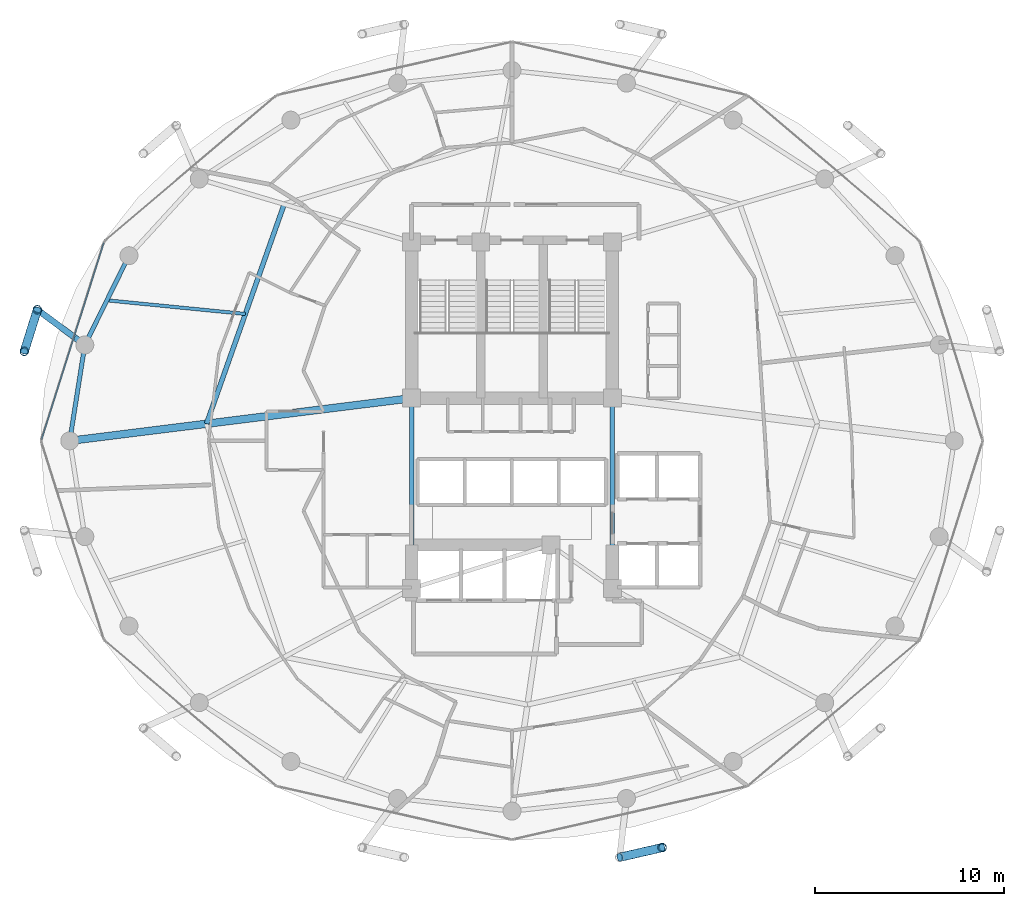
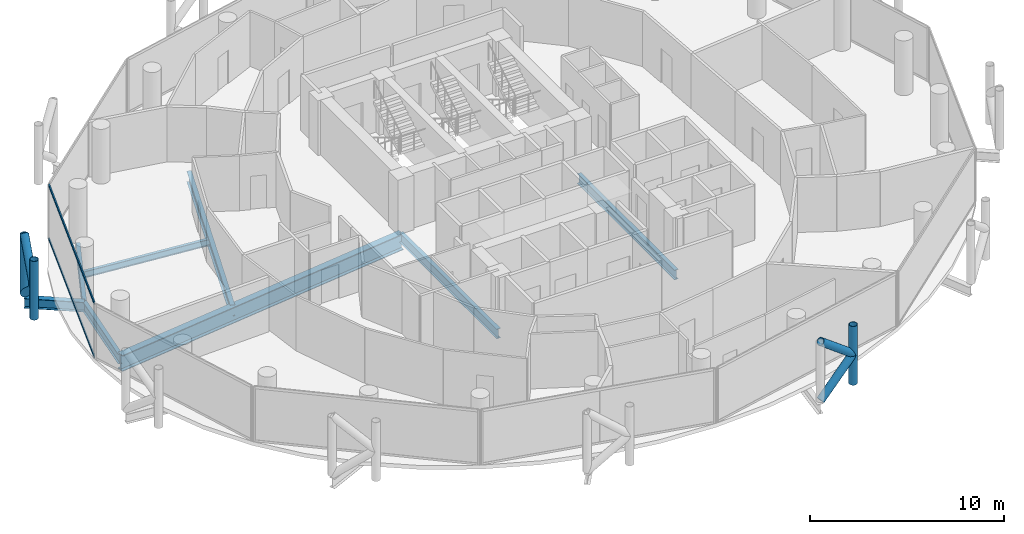
# One storey, part 7 of 26: 9 members, 8 beams, 1 element without a shape of its own.
"""IFC4 building model written with IfcOpenShell, lengths in metres."""

from ifc_helpers import new_model, si_unit, direction, frame, origin, origin_2d, place, context, subcontext, project, spatial, hollow_rectangle, hollow_circle, i_section, extrude, material, layer, layer_set, material_profile, profile_set, type_object, element, aggregate, save


model = new_model("IFC4")

# Units and contexts
model_context = context("Model", 3, precision=1e-05, world=origin(), true_north=direction((0.0, 1.0)))
body_context = subcontext(model_context, "Body", "Model", "MODEL_VIEW")
ifc_project = project(units=[si_unit("LENGTHUNIT", "METRE"), si_unit("AREAUNIT", "SQUARE_METRE"), si_unit("VOLUMEUNIT", "CUBIC_METRE"), si_unit("PLANEANGLEUNIT", "RADIAN"), si_unit("MASSUNIT", "GRAM", prefix="KILO")], contexts=[model_context])

# Site, building, storey
site_placement = place(None, origin())
site = spatial("IfcSite", under=ifc_project, at=site_placement, CompositionType="ELEMENT")
building_placement = place(site_placement, origin())
building = spatial("IfcBuilding", under=site, at=building_placement, Name="Nuhasar Tower", CompositionType="ELEMENT")
storey_placement = place(building_placement, frame((0.0, 0.0, 129.35009765625)))
storey = spatial("IfcBuildingStorey", under=building, at=storey_placement, Name="L30", CompositionType="ELEMENT", Elevation=129.35009765625)

# Beams
ifc_material_1 = material(Name="Steel S355", Category="steel")
ifc_material_profile_1 = material_profile(ifc_material_1, i_section(OverallWidth=0.25390625, OverallDepth=0.68408203125, WebThickness=0.012451171875, FlangeThickness=0.018798828125, at=origin_2d()), Name="W27X94")
ifc_profile_set_1 = profile_set([ifc_material_profile_1], Name="Steel S355")
beam_type_1 = type_object("IfcBeamType", Name="BM-INRING-W27X94", PredefinedType="BEAM", material=ifc_profile_set_1)
beam_1_placement = place(storey_placement, frame((26.972900390625, 39.2939453125, -0.592041015625), z_axis=(-0.333599821096, -0.942714781556, 0.0), x_axis=(0.942714781556, -0.333599821096, 0.0)))
element("IfcBeam", 1, at=beam_1_placement, inside=storey, type_object=beam_type_1, Name="L30 Inner Header Beam 07", PredefinedType="BEAM", context=body_context, shape_type="SweptSolid", body=[
    extrude(i_section(OverallWidth=0.25390625, OverallDepth=0.68408203125, WebThickness=0.012451171875, FlangeThickness=0.018798828125, at=origin_2d()), origin(), (0.0, 0.0, 1.0), 12.298583984375),
])
ifc_material_profile_2 = material_profile(ifc_material_1, i_section(OverallWidth=0.177978515625, OverallDepth=0.406005859375, WebThickness=0.0078125, FlangeThickness=0.0126953125, at=origin_2d()), Name="W16X40")
ifc_profile_set_2 = profile_set([ifc_material_profile_2], Name="Steel S355")
beam_type_2 = type_object("IfcBeamType", Name="BM-JST-W16X40", PredefinedType="JOIST", material=ifc_profile_set_2)
beam_2_placement = place(storey_placement, frame((24.922119140625, 33.4970703125, -0.453125), z_axis=(-0.995171845755, 0.098147834497, 0.0), x_axis=(-0.098147834497, -0.995171845755, 0.0)))
element("IfcBeam", 2, at=beam_2_placement, inside=storey, type_object=beam_type_2, Name="L30 Secondary Floor Joist 07", PredefinedType="JOIST", context=body_context, shape_type="SweptSolid", body=[
    extrude(i_section(OverallWidth=0.177978515625, OverallDepth=0.406005859375, WebThickness=0.0078125, FlangeThickness=0.0126953125, at=origin_2d()), origin(), (0.0, 0.0, 1.0), 7.345458984375),
])
ifc_material_profile_3 = material_profile(ifc_material_1, i_section(OverallWidth=0.22900390625, OverallDepth=0.612060546875, WebThickness=0.011962890625, FlangeThickness=0.01953125, at=origin_2d()), Name="W24X84")
ifc_profile_set_3 = profile_set([ifc_material_profile_3], Name="Steel S355")
beam_type_3 = type_object("IfcBeamType", Name="BM-RAD-W24X84", PredefinedType="BEAM", material=ifc_profile_set_3)
for number, where, z_axis, x_axis, name in (
    (3, (44.300048828125, 19.0, -0.55615234375), (0.0, 1.0, 0.0), (-1.0, 0.0, 0.0), "L30 Core Ring Girder 3"),
    (4, (33.699951171875, 29.050048828125, -0.55615234375), (0.0, -1.0, 0.0), (1.0, 0.0, 0.0), "L30 Core Ring Girder 8"),
):
    element("IfcBeam", number, at=place(storey_placement, frame(where, z_axis=z_axis, x_axis=x_axis)), inside=storey, type_object=beam_type_3, Name=name, PredefinedType="BEAM", context=body_context, shape_type="SweptSolid", body=[
        extrude(i_section(OverallWidth=0.22900390625, OverallDepth=0.612060546875, WebThickness=0.011962890625, FlangeThickness=0.01953125, at=origin_2d()), origin(), (0.0, 0.0, 1.0), 10.050048828125),
    ])
ifc_material_profile_4 = material_profile(ifc_material_1, i_section(OverallWidth=0.22998046875, OverallDepth=0.616943359375, WebThickness=0.01318359375, FlangeThickness=0.022216796875, at=origin_2d()), Name="W24X94")
ifc_profile_set_4 = profile_set([ifc_material_profile_4], Name="Steel S355")
beam_type_4 = type_object("IfcBeamType", Name="BM-RING-W24X94", PredefinedType="SPANDREL", material=ifc_profile_set_4)
beam_3_placement = place(storey_placement, frame((18.778076171875, 36.574951171875, -0.55908203125), z_axis=(-0.443347771709, -0.896349682501, 0.0), x_axis=(0.896349682501, -0.443347771709, 0.0)))
element("IfcBeam", 5, at=beam_3_placement, inside=storey, type_object=beam_type_4, Name="L30 Perimeter Ring Spandrel 11", PredefinedType="SPANDREL", context=body_context, shape_type="SweptSolid", body=[
    extrude(i_section(OverallWidth=0.22998046875, OverallDepth=0.616943359375, WebThickness=0.01318359375, FlangeThickness=0.022216796875, at=origin_2d()), origin(), (0.0, 0.0, 1.0), 5.260009765625),
])
beam_4_placement = place(storey_placement, frame((16.446044921875, 31.860107421875, -0.55908203125), z_axis=(-0.155426543608, -0.987847452566, 0.0), x_axis=(0.987847452566, -0.155426543608, 0.0)))
element("IfcBeam", 6, at=beam_4_placement, inside=storey, type_object=beam_type_4, Name="L30 Perimeter Ring Spandrel 12", PredefinedType="SPANDREL", context=body_context, shape_type="SweptSolid", body=[
    extrude(i_section(OverallWidth=0.22998046875, OverallDepth=0.616943359375, WebThickness=0.01318359375, FlangeThickness=0.022216796875, at=origin_2d()), origin(), (0.0, 0.0, 1.0), 5.122314453125),
])
ifc_material_profile_5 = material_profile(ifc_material_1, i_section(OverallWidth=0.323974609375, OverallDepth=0.611083984375, WebThickness=0.0126953125, FlangeThickness=0.01904296875, at=origin_2d()), Name="W24X104")
ifc_profile_set_5 = profile_set([ifc_material_profile_5], Name="Steel S355")
beam_type_5 = type_object("IfcBeamType", Name="BM-TIE-W24X104", PredefinedType="BEAM", material=ifc_profile_set_5)
beam_5_placement = place(storey_placement, frame((16.446044921875, 31.860107421875, -0.55615234375), z_axis=(-0.802872198291, 0.596151183183, 0.0), x_axis=(-0.596151183183, -0.802872198291, 0.0)))
element("IfcBeam", 7, at=beam_5_placement, inside=storey, type_object=beam_type_5, Name="L30 Exoskeleton Node Tie Beam 06", PredefinedType="BEAM", context=body_context, shape_type="SweptSolid", body=[
    extrude(i_section(OverallWidth=0.323974609375, OverallDepth=0.611083984375, WebThickness=0.0126953125, FlangeThickness=0.01904296875, at=origin_2d()), origin(), (0.0, 0.0, 1.0), 3.121337890625),
])
ifc_material_2 = material(Name="Steel S460", Category="steel")
ifc_material_profile_6 = material_profile(ifc_material_2, i_section(OverallWidth=0.40087890625, OverallDepth=1.010009765625, WebThickness=0.023681640625, FlangeThickness=0.0419921875, at=origin_2d()), Name="W40X297")
ifc_profile_set_6 = profile_set([ifc_material_profile_6], Name="Steel S460")
beam_type_6 = type_object("IfcBeamType", Name="BM-XFER-W40X297", PredefinedType="USERDEFINED", material=ifc_profile_set_6)
beam_6_placement = place(storey_placement, frame((33.699951171875, 29.050048828125, -0.755126953125), z_axis=(-0.992320149485, -0.123696082908, 0.0), x_axis=(0.123696082908, -0.992320149485, 0.0)))
element("IfcBeam", 8, at=beam_6_placement, inside=storey, type_object=beam_type_6, Name="L30 Radial Floor Girder 08", ObjectType="GIRDER", PredefinedType="USERDEFINED", context=body_context, shape_type="SweptSolid", body=[
    extrude(i_section(OverallWidth=0.40087890625, OverallDepth=1.010009765625, WebThickness=0.023681640625, FlangeThickness=0.0419921875, at=origin_2d()), origin(), (0.0, 0.0, 1.0), 18.189697265625),
])

# Curtain wall, members
ifc_material_3 = material(Name="Aluminium 6063-T6", Category="aluminium")
ifc_layer = layer(ifc_material_3, 0.199951171875)
ifc_layer_set = layer_set([ifc_layer], Name="Aluminium 6063-T6")
curtain_wall_type = type_object("IfcCurtainWallType", Name="CW-Z2-HTL", PredefinedType="NOTDEFINED", material=ifc_layer_set)
curtain_wall_placement = place(storey_placement, origin())
curtain_wall = element("IfcCurtainWall", 9, at=curtain_wall_placement, inside=storey, type_object=curtain_wall_type, Name="L30 Unitised Curtain Wall 06", PredefinedType="NOTDEFINED")
ifc_material_profile_7 = material_profile(ifc_material_3, hollow_rectangle(XDim=0.070068359375, YDim=0.159912109375, WallThickness=0.00439453125, at=origin_2d()), Name="CWT-3")
ifc_profile_set_7 = profile_set([ifc_material_profile_7], Name="Aluminium 6063-T6")
member_type_1 = type_object("IfcMemberType", Name="CW-TRN-S3", PredefinedType="USERDEFINED", material=ifc_profile_set_7)
member_1_placement = place(storey_placement, frame((17.449951171875, 37.26318359375, 0.034912109375), z_axis=(-0.301608163352, -0.953431967053, 0.0), x_axis=(0.953431967053, -0.301608163352, 0.0)))
member_1 = element("IfcMember", 10, at=member_1_placement, type_object=member_type_1, Name="CW-Z2 transom 1.1", ObjectType="TRANSOM", PredefinedType="USERDEFINED", context=body_context, shape_type="SweptSolid", body=[
    extrude(hollow_rectangle(XDim=0.070068359375, YDim=0.159912109375, WallThickness=0.00439453125, at=origin_2d()), origin(), (0.0, 0.0, 1.0), 10.904296875),
])
member_2_placement = place(storey_placement, frame((17.449951171875, 37.26318359375, 3.414794921875), z_axis=(-0.301608163352, -0.953431967053, 0.0), x_axis=(0.953431967053, -0.301608163352, 0.0)))
member_2 = element("IfcMember", 11, at=member_2_placement, type_object=member_type_1, Name="CW-Z2 transom 1.2", ObjectType="TRANSOM", PredefinedType="USERDEFINED", context=body_context, shape_type="SweptSolid", body=[
    extrude(hollow_rectangle(XDim=0.070068359375, YDim=0.159912109375, WallThickness=0.00439453125, at=origin_2d()), origin(), (0.0, 0.0, 1.0), 10.904296875),
])
aggregate(curtain_wall, [member_1, member_2])

# Members
ifc_material_profile_8 = material_profile(ifc_material_2, hollow_circle(Radius=0.228515625, WallThickness=0.022216796875, at=origin_2d()), Name="HSS457X22.2")
ifc_profile_set_8 = profile_set([ifc_material_profile_8], Name="Steel S460")
member_type_2 = type_object("IfcMemberType", Name="EXO-BRONZE-457", PredefinedType="BRACE", material=ifc_profile_set_8)
for number, where, z_axis, x_axis, name in (
    (12, (13.93994140625, 33.720947265625, 0.0), (0.0, 0.0, 1.0), (1.0, 0.0, 0.0), "L30 Exoskeleton Chord Column EC-06A"),
    (13, (13.251953125, 31.52587890625, 0.0), (0.0, 0.0, 1.0), (1.0, 0.0, 0.0), "L30 Exoskeleton Chord Column EC-06B"),
    (14, (46.927978515625, 5.323974609375, 0.0), (0.0, 0.0, 1.0), (1.0, 0.0, 0.0), "L30 Exoskeleton Chord Column EC-10B"),
):
    element("IfcMember", number, at=place(storey_placement, frame(where, z_axis=z_axis, x_axis=x_axis)), inside=storey, type_object=member_type_2, Name=name, PredefinedType="BRACE", context=body_context, shape_type="SweptSolid", body=[
        extrude(hollow_circle(Radius=0.228515625, WallThickness=0.022216796875, at=origin_2d()), origin(), (0.0, 0.0, 1.0), 3.699951171875),
    ])
member_3_placement = place(storey_placement, frame((13.93994140625, 33.720947265625, 0.0), z_axis=(-0.233067628236, -0.74361641074, 0.626669062861), x_axis=(0.954228474306, -0.29907861646, 0.0)))
element("IfcMember", 15, at=member_3_placement, inside=storey, type_object=member_type_2, Name="L30 Bronze Diagrid Brace W1-06", PredefinedType="BRACE", context=body_context, shape_type="SweptSolid", body=[
    extrude(hollow_circle(Radius=0.228515625, WallThickness=0.022216796875, at=origin_2d()), origin(), (0.0, 0.0, 1.0), 2.951904296875),
])
member_4_placement = place(storey_placement, frame((13.251953125, 31.52587890625, 1.849853515625), z_axis=(0.233055548538, 0.743577869731, 0.626719285599), x_axis=(-0.954228474306, 0.29907861646, 0.0)))
element("IfcMember", 16, at=member_4_placement, inside=storey, type_object=member_type_2, Name="L30 Bronze Diagrid Brace W2-06", PredefinedType="BRACE", context=body_context, shape_type="SweptSolid", body=[
    extrude(hollow_circle(Radius=0.228515625, WallThickness=0.022216796875, at=origin_2d()), origin(), (0.0, 0.0, 1.0), 2.9521484375),
])
member_5_placement = place(storey_placement, frame((44.68603515625, 4.81005859375, 0.0), z_axis=(0.759549860492, 0.174110035537, 0.626713415327), x_axis=(-0.223432882746, 0.974719316987, 0.0)))
element("IfcMember", 17, at=member_5_placement, inside=storey, type_object=member_type_2, Name="L30 Bronze Diagrid Brace W1-10", PredefinedType="BRACE", context=body_context, shape_type="SweptSolid", body=[
    extrude(hollow_circle(Radius=0.228515625, WallThickness=0.022216796875, at=origin_2d()), origin(), (0.0, 0.0, 1.0), 2.95166015625),
])
member_6_placement = place(storey_placement, frame((46.927978515625, 5.323974609375, 1.849853515625), z_axis=(-0.759510488094, -0.174101010284, 0.626763637022), x_axis=(0.223432882746, -0.974719316987, 0.0)))
element("IfcMember", 18, at=member_6_placement, inside=storey, type_object=member_type_2, Name="L30 Bronze Diagrid Brace W2-10", PredefinedType="BRACE", context=body_context, shape_type="SweptSolid", body=[
    extrude(hollow_circle(Radius=0.228515625, WallThickness=0.022216796875, at=origin_2d()), origin(), (0.0, 0.0, 1.0), 2.951904296875),
])

save(model, "model.ifc")
